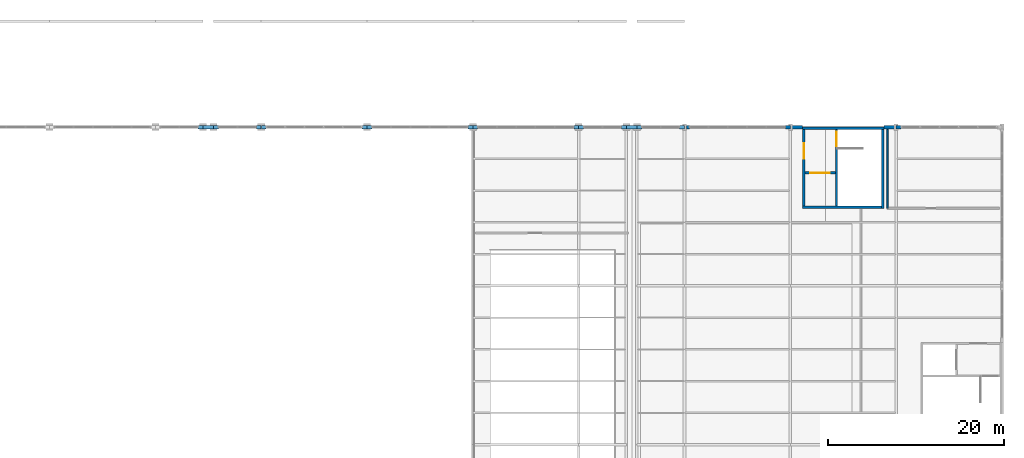
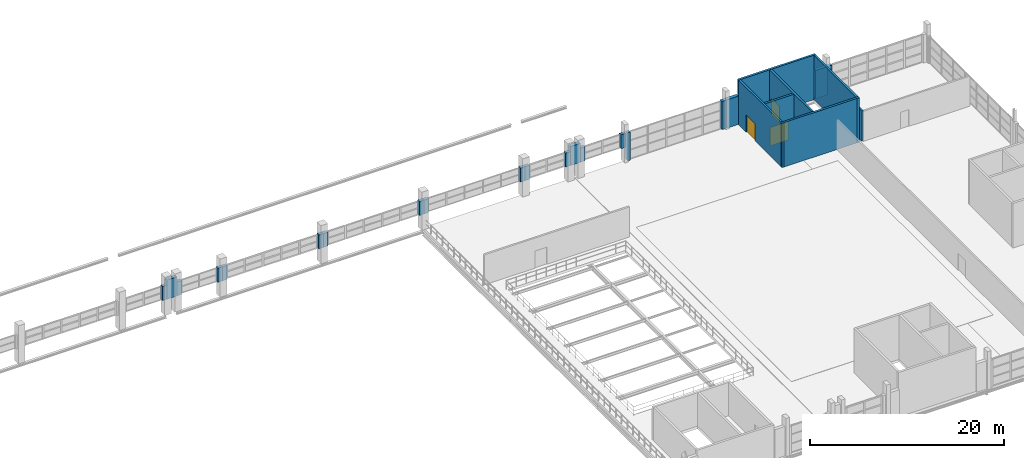
# One storey, part 82 of 86: 27 walls, 3 doors, 3 openings.
"""IFC4 building model written with IfcOpenShell, lengths in metres."""

from ifc_helpers import new_model, si_unit, direction, frame, frame_2d, origin, place, context, subcontext, project, spatial, rectangle, extrude, material, layer, layer_set, type_object, element, fill, save


model = new_model("IFC4")

# Units and contexts
model_context = context("Model", 3, precision=1e-05, world=origin(), true_north=direction((0.0, 1.0)))
body_context = subcontext(model_context, "Body", "Model", "MODEL_VIEW")
ifc_project = project(units=[si_unit("LENGTHUNIT", "METRE"), si_unit("AREAUNIT", "SQUARE_METRE"), si_unit("VOLUMEUNIT", "CUBIC_METRE"), si_unit("PLANEANGLEUNIT", "RADIAN"), si_unit("MASSUNIT", "GRAM", prefix="KILO")], contexts=[model_context])

# Site, building, storey
site_placement = place(None, origin())
site = spatial("IfcSite", under=ifc_project, at=site_placement, CompositionType="ELEMENT")
building_placement = place(site_placement, origin())
building = spatial("IfcBuilding", under=site, at=building_placement, Name="Zilviju Railside Exhibition Hall", CompositionType="ELEMENT")
storey_placement = place(building_placement, frame((0.0, 0.0, 12.60009765625)))
storey = spatial("IfcBuildingStorey", under=building, at=storey_placement, Name="L04", CompositionType="ELEMENT", Elevation=12.60009765625)

# Walls
ifc_material_1 = material(Name="Concrete C35/45", Category="concrete")
ifc_layer_1 = layer(ifc_material_1, 0.25)
ifc_layer_set_1 = layer_set([ifc_layer_1], Name="Concrete C35/45")
wall_type_1 = type_object("IfcWallType", Name="WL-CORE-250", PredefinedType="SHEAR", material=ifc_layer_set_1)
wall_1_placement = place(storey_placement, frame((202.47509765625, 138.0, 0.0), z_axis=(0.0, 0.0, 1.0), x_axis=(0.0, -1.0, 0.0)))
element("IfcWall", 1, at=wall_1_placement, inside=storey, type_object=wall_type_1, Name="Core C08 North Hall Rail East Stairwell Outer Wall L04", PredefinedType="SHEAR", context=body_context, shape_type="SweptSolid", body=[
    extrude(rectangle(XDim=9.199951171875, YDim=0.25, at=frame_2d((4.60009765625, 0.0))), origin(), (0.0, 0.0, 1.0), 5.599853515625),
])
wall_2_placement = place(storey_placement, frame((202.60009765625, 128.925048828125, 0.0), z_axis=(0.0, 0.0, 1.0), x_axis=(-1.0, 0.0, 0.0)))
element("IfcWall", 2, at=wall_2_placement, inside=storey, type_object=wall_type_1, Name="Core C08 North Hall Rail East Core Rear Wall L04", PredefinedType="SHEAR", context=body_context, shape_type="SweptSolid", body=[
    extrude(rectangle(XDim=9.2001953125, YDim=0.25, at=frame_2d((4.60009765625, 0.0))), origin(), (0.0, 0.0, 1.0), 5.599853515625),
])

# Wall, opening, door
wall_3_placement = place(storey_placement, frame((193.52490234375, 138.0, 0.0), z_axis=(0.0, 0.0, 1.0), x_axis=(0.0, -1.0, 0.0)))
wall_3 = element("IfcWall", 3, at=wall_3_placement, inside=storey, type_object=wall_type_1, Name="Core C08 North Hall Rail East Lobby Side Wall L04", PredefinedType="SHEAR", context=body_context, shape_type="SweptSolid", body=[
    extrude(rectangle(XDim=9.199951171875, YDim=0.25, at=frame_2d((4.60009765625, 0.0))), origin(), (0.0, 0.0, 1.0), 5.599853515625),
])
opening_1_placement = place(wall_3_placement, frame((1.800048828125, 0.0, 0.0)))
opening_1 = element("IfcOpeningElement", 4, at=opening_1_placement, cuts=wall_3, Name="Opening FD-02", PredefinedType="OPENING", context=body_context, shape_type="SweptSolid", body=[
    extrude(rectangle(XDim=1.800048828125, YDim=2.14990234375, at=frame_2d((0.89990234375, 1.074951171875))), frame((0.0, 0.135009765625, 0.0), z_axis=(0.0, -1.0, 0.0), x_axis=(1.0, 0.0, 0.0)), (0.0, 0.0, 1.0), 0.27001953125),
])
ifc_material_2 = material(Name="Self-closing glazed steel core lobby fire door EI 60", Category="steel")
door_type_1 = type_object("IfcDoorType", Name="DR-LOBBY-180x215", OperationType="NOTDEFINED", PredefinedType="DOOR", material=ifc_material_2)
door_1_placement = place(opening_1_placement, origin())
door_1 = element("IfcDoor", 5, at=door_1_placement, inside=storey, type_object=door_type_1, Name="Core C08 North Hall Rail East Lobby Fire Door L04", OperationType="DOUBLE_DOOR_SINGLE_SWING", OverallHeight=2.14990234375, OverallWidth=1.800048828125, PredefinedType="DOOR", context=body_context, shape_type="SweptSolid", body=[
    extrude(rectangle(XDim=1.800048828125, YDim=2.14990234375, at=frame_2d((0.89990234375, 1.074951171875))), frame((0.0, 0.02490234375, 0.0), z_axis=(0.0, -1.0, 0.0), x_axis=(1.0, 0.0, 0.0)), (0.0, 0.0, 1.0), 0.050048828125),
])
fill(opening_1, door_1)

wall_4_placement = place(storey_placement, frame((197.22509765625, 137.75, 0.0), z_axis=(0.0, 0.0, 1.0), x_axis=(0.0, -1.0, 0.0)))
wall_4 = element("IfcWall", 6, at=wall_4_placement, inside=storey, type_object=wall_type_1, Name="Core C08 North Hall Rail East Stairwell Partition Wall L04", PredefinedType="SHEAR", context=body_context, shape_type="SweptSolid", body=[
    extrude(rectangle(XDim=8.699951171875, YDim=0.25, at=frame_2d((4.35009765625, 0.0))), origin(), (0.0, 0.0, 1.0), 5.599853515625),
])
opening_2_placement = place(wall_4_placement, frame((0.25, 0.0, 0.0)))
opening_2 = element("IfcOpeningElement", 7, at=opening_2_placement, cuts=wall_4, Name="Opening FD-01", PredefinedType="OPENING", context=body_context, shape_type="SweptSolid", body=[
    extrude(rectangle(XDim=1.64990234375, YDim=2.10009765625, at=frame_2d((0.824951171875, 1.050048828125))), frame((0.0, 0.135009765625, 0.0), z_axis=(0.0, -1.0, 0.0), x_axis=(1.0, 0.0, 0.0)), (0.0, 0.0, 1.0), 0.27001953125),
])
ifc_material_3 = material(Name="Self-closing steel stair enclosure fire door EI 60", Category="steel")
door_type_2 = type_object("IfcDoorType", Name="DR-STAIR-165x210", OperationType="NOTDEFINED", PredefinedType="DOOR", material=ifc_material_3)
door_2_placement = place(opening_2_placement, origin())
door_2 = element("IfcDoor", 8, at=door_2_placement, inside=storey, type_object=door_type_2, Name="Core C08 North Hall Rail East Protected Stair Door L04", OperationType="SINGLE_SWING_LEFT", OverallHeight=2.10009765625, OverallWidth=1.64990234375, PredefinedType="DOOR", context=body_context, shape_type="SweptSolid", body=[
    extrude(rectangle(XDim=1.64990234375, YDim=2.10009765625, at=frame_2d((0.824951171875, 1.050048828125))), frame((0.0, 0.02490234375, 0.0), z_axis=(0.0, -1.0, 0.0), x_axis=(1.0, 0.0, 0.0)), (0.0, 0.0, 1.0), 0.050048828125),
])
fill(opening_2, door_2)

wall_5_placement = place(storey_placement, frame((197.10009765625, 132.824951171875, 0.0), z_axis=(0.0, 0.0, 1.0), x_axis=(-1.0, 0.0, 0.0)))
wall_5 = element("IfcWall", 9, at=wall_5_placement, inside=storey, type_object=wall_type_1, Name="Core C08 North Hall Rail East Lift Shaft Front Wall L04", PredefinedType="SHEAR", context=body_context, shape_type="SweptSolid", body=[
    extrude(rectangle(XDim=3.4501953125, YDim=0.25, at=frame_2d((1.72509765625, 0.0))), origin(), (0.0, 0.0, 1.0), 5.599853515625),
])
opening_3_placement = place(wall_5_placement, frame((0.625, 0.0, 0.0)))
opening_3 = element("IfcOpeningElement", 10, at=opening_3_placement, cuts=wall_5, Name="Opening LD-02", PredefinedType="OPENING", context=body_context, shape_type="SweptSolid", body=[
    extrude(rectangle(XDim=2.199951171875, YDim=2.35009765625, at=frame_2d((1.10009765625, 1.175048828125))), frame((0.0, 0.135009765625, 0.0), z_axis=(0.0, -1.0, 0.0), x_axis=(1.0, 0.0, 0.0)), (0.0, 0.0, 1.0), 0.27001953125),
])
ifc_material_4 = material(Name="Heavy freight lift sliding landing door EI 60", Category="wood")
door_type_3 = type_object("IfcDoorType", Name="DR-LIFT-220x235", OperationType="NOTDEFINED", PredefinedType="DOOR", material=ifc_material_4)
door_3_placement = place(opening_3_placement, origin())
door_3 = element("IfcDoor", 11, at=door_3_placement, inside=storey, type_object=door_type_3, Name="Lift Landing Door LF-02 L04", OperationType="SLIDING_TO_RIGHT", OverallHeight=2.35009765625, OverallWidth=2.199951171875, PredefinedType="DOOR", context=body_context, shape_type="SweptSolid", body=[
    extrude(rectangle(XDim=2.199951171875, YDim=2.35009765625, at=frame_2d((1.10009765625, 1.175048828125))), frame((0.0, 0.02490234375, 0.0), z_axis=(0.0, -1.0, 0.0), x_axis=(1.0, 0.0, 0.0)), (0.0, 0.0, 1.0), 0.050048828125),
])
fill(opening_3, door_3)

# Walls
ifc_material_5 = material(Name="Concrete C40/50", Category="concrete")
ifc_layer_2 = layer(ifc_material_5, 0.25)
ifc_layer_set_2 = layer_set([ifc_layer_2], Name="Concrete C40/50")
wall_type_2 = type_object("IfcWallType", Name="WL-CORE-300", PredefinedType="SHEAR", material=ifc_layer_set_2)
wall_6_placement = place(storey_placement, frame((193.39990234375, 137.875, 0.0), z_axis=(0.0, 0.0, 1.0), x_axis=(1.0, 0.0, 0.0)))
element("IfcWall", 12, at=wall_6_placement, inside=storey, type_object=wall_type_2, Name="Core C08 North Hall Rail East Exterior Core Wall L04", PredefinedType="SHEAR", context=body_context, shape_type="SweptSolid", body=[
    extrude(rectangle(XDim=9.2001953125, YDim=0.25, at=frame_2d((4.60009765625, 0.0))), origin(), (0.0, 0.0, 1.0), 5.599853515625),
])
ifc_material_6 = material(Name="Insulated cream-brick upper facade wall", Category="masonry")
ifc_layer_3 = layer(ifc_material_6, 0.3798828125)
ifc_layer_set_3 = layer_set([ifc_layer_3], Name="Insulated cream-brick upper facade wall")
wall_type_3 = type_object("IfcWallType", Name="WL-EXT-380", PredefinedType="SOLIDWALL", material=ifc_layer_set_3)
for number, where, z_axis, x_axis, name in (
    (13, (124.85009765625, 138.0, 1.7998046875), (0.0, 0.0, 1.0), (1.0, 0.0, 0.0), "Curtain-Wall Jamb Closure Pier L04 0293"),
    (14, (126.60205078125, 138.0, 1.7998046875), (0.0, 0.0, 1.0), (1.0, 0.0, 0.0), "Curtain-Wall Jamb Closure Pier L04 0294"),
):
    element("IfcWall", number, at=place(storey_placement, frame(where, z_axis=z_axis, x_axis=x_axis)), inside=storey, type_object=wall_type_3, Name=name, PredefinedType="SOLIDWALL", context=body_context, shape_type="SweptSolid", body=[
        extrude(rectangle(XDim=0.5478515625, YDim=0.3798828125, at=frame_2d((0.27392578125, 0.0))), origin(), (0.0, 0.0, 1.0), 1.75),
    ])
wall_7_placement = place(storey_placement, frame((131.449951171875, 138.0, 1.7998046875), z_axis=(0.0, 0.0, 1.0), x_axis=(1.0, 0.0, 0.0)))
element("IfcWall", 15, at=wall_7_placement, inside=storey, type_object=wall_type_3, Name="Curtain-Wall Jamb Closure Pier L04 0295", PredefinedType="SOLIDWALL", context=body_context, shape_type="SweptSolid", body=[
    extrude(rectangle(XDim=0.550048828125, YDim=0.3798828125, at=frame_2d((0.27490234375, 0.0))), origin(), (0.0, 0.0, 1.0), 1.75),
])
wall_8_placement = place(storey_placement, frame((132.001953125, 138.0, 1.7998046875), z_axis=(0.0, 0.0, 1.0), x_axis=(1.0, 0.0, 0.0)))
element("IfcWall", 16, at=wall_8_placement, inside=storey, type_object=wall_type_3, Name="Curtain-Wall Jamb Closure Pier L04 0296", PredefinedType="SOLIDWALL", context=body_context, shape_type="SweptSolid", body=[
    extrude(rectangle(XDim=0.548095703125, YDim=0.3798828125, at=frame_2d((0.27392578125, 0.0))), origin(), (0.0, 0.0, 1.0), 1.75),
])
wall_9_placement = place(storey_placement, frame((143.449951171875, 138.0, 1.7998046875), z_axis=(0.0, 0.0, 1.0), x_axis=(1.0, 0.0, 0.0)))
element("IfcWall", 17, at=wall_9_placement, inside=storey, type_object=wall_type_3, Name="Curtain-Wall Jamb Closure Pier L04 0297", PredefinedType="SOLIDWALL", context=body_context, shape_type="SweptSolid", body=[
    extrude(rectangle(XDim=0.550048828125, YDim=0.3798828125, at=frame_2d((0.27490234375, 0.0))), origin(), (0.0, 0.0, 1.0), 1.75),
])
wall_10_placement = place(storey_placement, frame((144.001953125, 138.0, 1.7998046875), z_axis=(0.0, 0.0, 1.0), x_axis=(1.0, 0.0, 0.0)))
element("IfcWall", 18, at=wall_10_placement, inside=storey, type_object=wall_type_3, Name="Curtain-Wall Jamb Closure Pier L04 0298", PredefinedType="SOLIDWALL", context=body_context, shape_type="SweptSolid", body=[
    extrude(rectangle(XDim=0.548095703125, YDim=0.3798828125, at=frame_2d((0.27392578125, 0.0))), origin(), (0.0, 0.0, 1.0), 1.75),
])
wall_11_placement = place(storey_placement, frame((155.449951171875, 138.0, 1.7998046875), z_axis=(0.0, 0.0, 1.0), x_axis=(1.0, 0.0, 0.0)))
element("IfcWall", 19, at=wall_11_placement, inside=storey, type_object=wall_type_3, Name="Curtain-Wall Jamb Closure Pier L04 0299", PredefinedType="SOLIDWALL", context=body_context, shape_type="SweptSolid", body=[
    extrude(rectangle(XDim=0.550048828125, YDim=0.3798828125, at=frame_2d((0.27490234375, 0.0))), origin(), (0.0, 0.0, 1.0), 1.75),
])
wall_12_placement = place(storey_placement, frame((156.001953125, 138.0, 1.7998046875), z_axis=(0.0, 0.0, 1.0), x_axis=(1.0, 0.0, 0.0)))
element("IfcWall", 20, at=wall_12_placement, inside=storey, type_object=wall_type_3, Name="Curtain-Wall Jamb Closure Pier L04 0300", PredefinedType="SOLIDWALL", context=body_context, shape_type="SweptSolid", body=[
    extrude(rectangle(XDim=0.548095703125, YDim=0.3798828125, at=frame_2d((0.27392578125, 0.0))), origin(), (0.0, 0.0, 1.0), 1.75),
])
wall_13_placement = place(storey_placement, frame((167.449951171875, 138.0, 1.7998046875), z_axis=(0.0, 0.0, 1.0), x_axis=(1.0, 0.0, 0.0)))
element("IfcWall", 21, at=wall_13_placement, inside=storey, type_object=wall_type_3, Name="Curtain-Wall Jamb Closure Pier L04 0301", PredefinedType="SOLIDWALL", context=body_context, shape_type="SweptSolid", body=[
    extrude(rectangle(XDim=0.550048828125, YDim=0.3798828125, at=frame_2d((0.27490234375, 0.0))), origin(), (0.0, 0.0, 1.0), 1.75),
])
wall_14_placement = place(storey_placement, frame((168.001953125, 138.0, 1.7998046875), z_axis=(0.0, 0.0, 1.0), x_axis=(1.0, 0.0, 0.0)))
element("IfcWall", 22, at=wall_14_placement, inside=storey, type_object=wall_type_3, Name="Curtain-Wall Jamb Closure Pier L04 0302", PredefinedType="SOLIDWALL", context=body_context, shape_type="SweptSolid", body=[
    extrude(rectangle(XDim=0.548095703125, YDim=0.3798828125, at=frame_2d((0.27392578125, 0.0))), origin(), (0.0, 0.0, 1.0), 1.75),
])
for number, where, z_axis, x_axis, name in (
    (23, (172.85009765625, 138.0, 1.7998046875), (0.0, 0.0, 1.0), (1.0, 0.0, 0.0), "Curtain-Wall Jamb Closure Pier L04 0303"),
    (24, (174.60205078125, 138.0, 1.7998046875), (0.0, 0.0, 1.0), (1.0, 0.0, 0.0), "Curtain-Wall Jamb Closure Pier L04 0304"),
):
    element("IfcWall", number, at=place(storey_placement, frame(where, z_axis=z_axis, x_axis=x_axis)), inside=storey, type_object=wall_type_3, Name=name, PredefinedType="SOLIDWALL", context=body_context, shape_type="SweptSolid", body=[
        extrude(rectangle(XDim=0.5478515625, YDim=0.3798828125, at=frame_2d((0.27392578125, 0.0))), origin(), (0.0, 0.0, 1.0), 1.75),
    ])
wall_15_placement = place(storey_placement, frame((179.449951171875, 138.0, 1.7998046875), z_axis=(0.0, 0.0, 1.0), x_axis=(1.0, 0.0, 0.0)))
element("IfcWall", 25, at=wall_15_placement, inside=storey, type_object=wall_type_3, Name="Curtain-Wall Jamb Closure Pier L04 0305", PredefinedType="SOLIDWALL", context=body_context, shape_type="SweptSolid", body=[
    extrude(rectangle(XDim=0.550048828125, YDim=0.3798828125, at=frame_2d((0.27490234375, 0.0))), origin(), (0.0, 0.0, 1.0), 1.75),
])
wall_16_placement = place(storey_placement, frame((180.221923828125, 138.0, 0.0), z_axis=(0.0, 0.0, 1.0), x_axis=(1.0, 0.0, 0.0)))
element("IfcWall", 26, at=wall_16_placement, inside=storey, type_object=wall_type_3, Name="Curtain-Wall Jamb Closure Pier L04 0306", PredefinedType="SOLIDWALL", context=body_context, shape_type="SweptSolid", body=[
    extrude(rectangle(XDim=0.328125, YDim=0.3798828125, at=frame_2d((0.1640625, 0.0))), origin(), (0.0, 0.0, 1.0), 3.5498046875),
])
for number, where, z_axis, x_axis, name in (
    (27, (191.449951171875, 138.0, 0.0), (0.0, 0.0, 1.0), (1.0, 0.0, 0.0), "Curtain-Wall Jamb Closure Pier L04 0307"),
    (28, (204.001953125, 138.0, 0.0), (0.0, 0.0, 1.0), (1.0, 0.0, 0.0), "Curtain-Wall Jamb Closure Pier L04 0310"),
):
    element("IfcWall", number, at=place(storey_placement, frame(where, z_axis=z_axis, x_axis=x_axis)), inside=storey, type_object=wall_type_3, Name=name, PredefinedType="SOLIDWALL", context=body_context, shape_type="SweptSolid", body=[
        extrude(rectangle(XDim=0.548095703125, YDim=0.3798828125, at=frame_2d((0.27392578125, 0.0))), origin(), (0.0, 0.0, 1.0), 3.5498046875),
    ])
ifc_material_7 = material(Name="Insulated Jugendstils ochre brick facade wall", Category="masonry")
ifc_layer_4 = layer(ifc_material_7, 0.419921875)
ifc_layer_set_4 = layer_set([ifc_layer_4], Name="Insulated Jugendstils ochre brick facade wall")
wall_type_4 = type_object("IfcWallType", Name="WL-EXT-420", PredefinedType="SOLIDWALL", material=ifc_layer_set_4)
for number, where, z_axis, x_axis, name in (
    (29, (192.0, 138.0, 0.0), (0.0, 0.0, 1.0), (1.0, 0.0, 0.0), "Exterior Facade Wall L04 North 0308"),
    (30, (202.60009765625, 138.0, 0.0), (0.0, 0.0, 1.0), (1.0, 0.0, 0.0), "Exterior Facade Wall L04 North 0309"),
):
    element("IfcWall", number, at=place(storey_placement, frame(where, z_axis=z_axis, x_axis=x_axis)), inside=storey, type_object=wall_type_4, Name=name, PredefinedType="SOLIDWALL", context=body_context, shape_type="SweptSolid", body=[
        extrude(rectangle(XDim=1.39990234375, YDim=0.419921875, at=frame_2d((0.699951171875, 0.0))), origin(), (0.0, 0.0, 1.0), 3.56982421875),
    ])
for number, where, z_axis, x_axis, name in (
    (31, (125.39990234375, 138.0, 1.7998046875), (0.0, 0.0, 1.0), (1.0, 0.0, 0.0), "Exterior Facade Wall L04 North 0594"),
    (32, (173.39990234375, 138.0, 1.7998046875), (0.0, 0.0, 1.0), (1.0, 0.0, 0.0), "Exterior Facade Wall L04 North 0608"),
):
    element("IfcWall", number, at=place(storey_placement, frame(where, z_axis=z_axis, x_axis=x_axis)), inside=storey, type_object=wall_type_4, Name=name, PredefinedType="SOLIDWALL", context=body_context, shape_type="SweptSolid", body=[
        extrude(rectangle(XDim=1.2001953125, YDim=0.419921875, at=frame_2d((0.60009765625, 0.0))), origin(), (0.0, 0.0, 1.0), 2.400146484375),
    ])
ifc_material_8 = material(Name="Accessible WC sanitary chase wall", Category="masonry")
ifc_layer_5 = layer(ifc_material_8, 0.18994140625)
ifc_layer_set_5 = layer_set([ifc_layer_5], Name="Accessible WC sanitary chase wall")
wall_type_5 = type_object("IfcWallType", Name="WL-PLMB-190", PredefinedType="PLUMBINGWALL", material=ifc_layer_set_5)
wall_17_placement = place(storey_placement, frame((203.0, 128.800048828125, 0.0), z_axis=(0.0, 0.0, 1.0), x_axis=(0.0, 1.0, 0.0)))
element("IfcWall", 33, at=wall_17_placement, inside=storey, type_object=wall_type_5, Name="VIP Salon WC West Wall", PredefinedType="PLUMBINGWALL", context=body_context, shape_type="SweptSolid", body=[
    extrude(rectangle(XDim=8.949951171875, YDim=0.18994140625, at=frame_2d((4.47509765625, 0.0))), origin(), (0.0, 0.0, 1.0), 3.77978515625),
])

save(model, "model.ifc")
